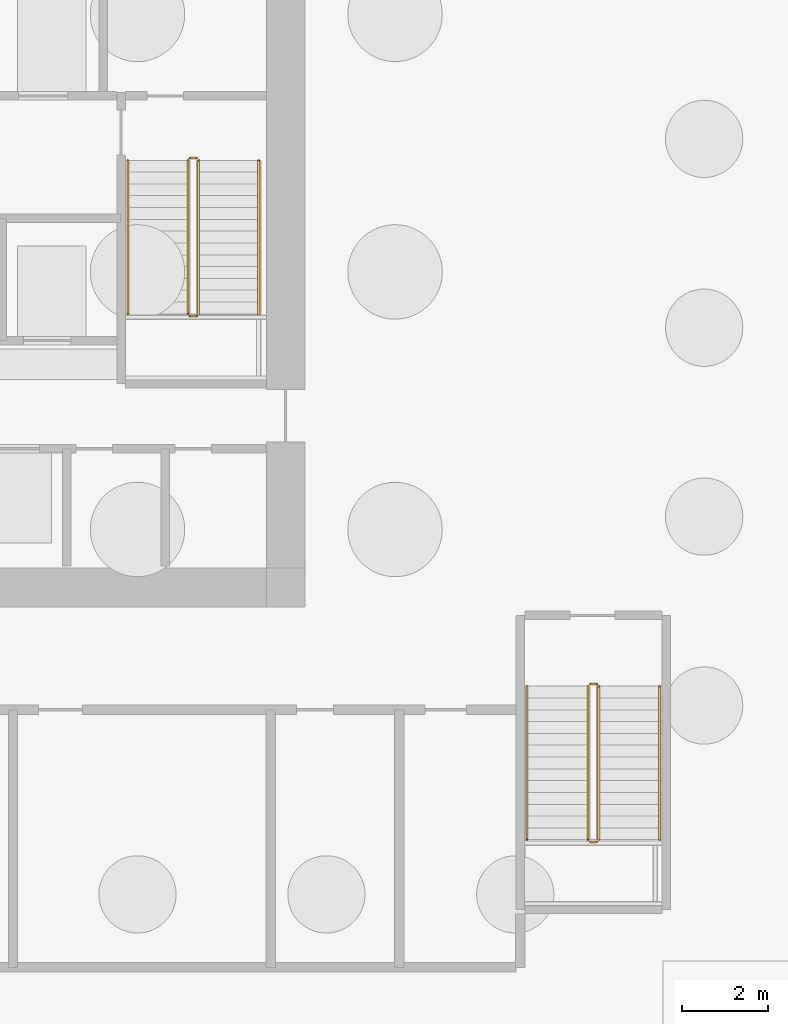
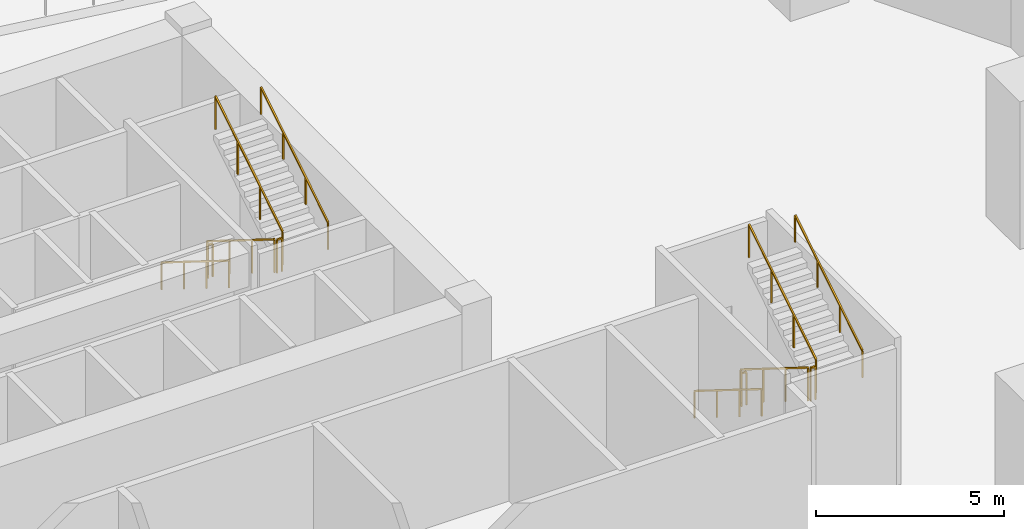
# One storey, part 7 of 9: 12 railings.
"""IFC4 building model written with IfcOpenShell, lengths in metres."""

from ifc_helpers import new_model, si_unit, direction, frame, origin, origin_2d, place, context, subcontext, project, spatial, rectangle, extrude, material, type_object, element, save


model = new_model("IFC4")

# Units and contexts
model_context = context("Model", 3, precision=1e-05, world=origin(), true_north=direction((0.0, 1.0)))
body_context = subcontext(model_context, "Body", "Model", "MODEL_VIEW")
ifc_project = project(units=[si_unit("LENGTHUNIT", "METRE"), si_unit("AREAUNIT", "SQUARE_METRE"), si_unit("VOLUMEUNIT", "CUBIC_METRE"), si_unit("PLANEANGLEUNIT", "RADIAN"), si_unit("MASSUNIT", "GRAM", prefix="KILO")], contexts=[model_context])

# Site, building, storey
site_placement = place(None, origin())
site = spatial("IfcSite", under=ifc_project, at=site_placement, CompositionType="ELEMENT")
building_placement = place(site_placement, origin())
building = spatial("IfcBuilding", under=site, at=building_placement, Name="Cinnabar Lancet Tower", CompositionType="ELEMENT")
storey_placement = place(building_placement, frame((0.0, 0.0, -4.800048828125)))
storey = spatial("IfcBuildingStorey", under=building, at=storey_placement, Name="B1", CompositionType="ELEMENT", Elevation=-4.800048828125)

# Railings
ifc_material_1 = material(Name="Painted galvanized steel balustrade", Category="steel")
railing_type_1 = type_object("IfcRailingType", Name="GUARD-STAIR", PredefinedType="GUARDRAIL", material=ifc_material_1)
railing_1_placement = place(storey_placement, frame((39.574951171875, 28.39990234375, 0.17138671875)))
element("IfcRailing", 1, at=railing_1_placement, inside=storey, type_object=railing_type_1, Name="B1 ST-2 stair guard 1", PredefinedType="GUARDRAIL", context=body_context, shape_type="SweptSolid", body=[
    extrude(rectangle(XDim=0.048095703125, YDim=0.048095703125, at=origin_2d()), frame((0.0, 0.0, 1.076171875), z_axis=(0.0, -0.848593568547, 0.529045324542), x_axis=(1.0, 0.0, 0.0)), (0.0, 0.0, 1.0), 4.212890625),
    extrude(rectangle(XDim=0.0419921875, YDim=0.0419921875, at=origin_2d()), origin(), (0.0, 0.0, 1.0), 1.052001953125),
    extrude(rectangle(XDim=0.0419921875, YDim=0.0419921875, at=origin_2d()), frame((0.0, -1.191650390625, 0.742919921875)), (0.0, 0.0, 1.0), 1.052001953125),
    extrude(rectangle(XDim=0.0419921875, YDim=0.0419921875, at=origin_2d()), frame((0.0, -2.38330078125, 1.48583984375)), (0.0, 0.0, 1.0), 1.052001953125),
    extrude(rectangle(XDim=0.0419921875, YDim=0.0419921875, at=origin_2d()), frame((0.0, -3.574951171875, 2.228759765625)), (0.0, 0.0, 1.0), 1.052001953125),
])
railing_2_placement = place(storey_placement, frame((39.625, 24.77490234375, 2.400146484375)))
element("IfcRailing", 2, at=railing_2_placement, inside=storey, type_object=railing_type_1, Name="B1 ST-2 stair guard 2", PredefinedType="GUARDRAIL", context=body_context, shape_type="SweptSolid", body=[
    extrude(rectangle(XDim=0.048095703125, YDim=0.048095703125, at=origin_2d()), frame((0.0, 0.0, 1.076171875), z_axis=(1.0, 0.0, 0.0), x_axis=(0.0, 1.0, 0.0)), (0.0, 0.0, 1.0), 0.14990234375),
    extrude(rectangle(XDim=0.0419921875, YDim=0.0419921875, at=origin_2d()), origin(), (0.0, 0.0, 1.0), 1.052001953125),
    extrude(rectangle(XDim=0.0419921875, YDim=0.0419921875, at=origin_2d()), frame((0.14990234375, 0.0, 0.0)), (0.0, 0.0, 1.0), 1.052001953125),
])
railing_3_placement = place(storey_placement, frame((39.824951171875, 24.824951171875, 2.571533203125)))
element("IfcRailing", 3, at=railing_3_placement, inside=storey, type_object=railing_type_1, Name="B1 ST-2 stair guard 3", PredefinedType="GUARDRAIL", context=body_context, shape_type="SweptSolid", body=[
    extrude(rectangle(XDim=0.048095703125, YDim=0.048095703125, at=origin_2d()), frame((0.0, 0.0, 1.076171875), z_axis=(0.0, 0.848619585623, 0.529003590628), x_axis=(-1.0, 0.0, 0.0)), (0.0, 0.0, 1.0), 4.212646484375),
    extrude(rectangle(XDim=0.0419921875, YDim=0.0419921875, at=origin_2d()), origin(), (0.0, 0.0, 1.0), 1.052001953125),
    extrude(rectangle(XDim=0.0419921875, YDim=0.0419921875, at=origin_2d()), frame((0.0, 1.191650390625, 0.742919921875)), (0.0, 0.0, 1.0), 1.052001953125),
    extrude(rectangle(XDim=0.0419921875, YDim=0.0419921875, at=origin_2d()), frame((0.0, 2.38330078125, 1.485595703125)), (0.0, 0.0, 1.0), 1.052001953125),
    extrude(rectangle(XDim=0.0419921875, YDim=0.0419921875, at=origin_2d()), frame((0.0, 3.574951171875, 2.228515625)), (0.0, 0.0, 1.0), 1.052001953125),
])
railing_4_placement = place(storey_placement, frame((39.625, 28.449951171875, 0.0)))
element("IfcRailing", 4, at=railing_4_placement, inside=storey, type_object=railing_type_1, Name="B1 ST-2 stair guard 4", PredefinedType="GUARDRAIL", context=body_context, shape_type="SweptSolid", body=[
    extrude(rectangle(XDim=0.048095703125, YDim=0.048095703125, at=origin_2d()), frame((0.0, 0.0, 1.076171875), z_axis=(1.0, 0.0, 0.0), x_axis=(0.0, 1.0, 0.0)), (0.0, 0.0, 1.0), 0.14990234375),
    extrude(rectangle(XDim=0.0419921875, YDim=0.0419921875, at=origin_2d()), origin(), (0.0, 0.0, 1.0), 1.052001953125),
    extrude(rectangle(XDim=0.0419921875, YDim=0.0419921875, at=origin_2d()), frame((0.14990234375, 0.0, 0.0)), (0.0, 0.0, 1.0), 1.052001953125),
])
railing_5_placement = place(storey_placement, frame((48.89501953125, 16.14990234375, 0.17138671875)))
element("IfcRailing", 5, at=railing_5_placement, inside=storey, type_object=railing_type_1, Name="B1 ST-4 stair guard 1", PredefinedType="GUARDRAIL", context=body_context, shape_type="SweptSolid", body=[
    extrude(rectangle(XDim=0.048095703125, YDim=0.048095703125, at=origin_2d()), frame((0.0, 0.0, 1.076171875), z_axis=(0.0, -0.848593568547, 0.529045324542), x_axis=(1.0, 0.0, 0.0)), (0.0, 0.0, 1.0), 4.212890625),
    extrude(rectangle(XDim=0.0419921875, YDim=0.0419921875, at=origin_2d()), origin(), (0.0, 0.0, 1.0), 1.052001953125),
    extrude(rectangle(XDim=0.0419921875, YDim=0.0419921875, at=origin_2d()), frame((0.0, -1.191650390625, 0.742919921875)), (0.0, 0.0, 1.0), 1.052001953125),
    extrude(rectangle(XDim=0.0419921875, YDim=0.0419921875, at=origin_2d()), frame((0.0, -2.38330078125, 1.48583984375)), (0.0, 0.0, 1.0), 1.052001953125),
    extrude(rectangle(XDim=0.0419921875, YDim=0.0419921875, at=origin_2d()), frame((0.0, -3.574951171875, 2.228759765625)), (0.0, 0.0, 1.0), 1.052001953125),
])
railing_6_placement = place(storey_placement, frame((48.945068359375, 12.52490234375, 2.400146484375)))
element("IfcRailing", 6, at=railing_6_placement, inside=storey, type_object=railing_type_1, Name="B1 ST-4 stair guard 2", PredefinedType="GUARDRAIL", context=body_context, shape_type="SweptSolid", body=[
    extrude(rectangle(XDim=0.048095703125, YDim=0.048095703125, at=origin_2d()), frame((0.0, 0.0, 1.076171875), z_axis=(1.0, 0.0, 0.0), x_axis=(0.0, 1.0, 0.0)), (0.0, 0.0, 1.0), 0.14990234375),
    extrude(rectangle(XDim=0.0419921875, YDim=0.0419921875, at=origin_2d()), origin(), (0.0, 0.0, 1.0), 1.052001953125),
    extrude(rectangle(XDim=0.0419921875, YDim=0.0419921875, at=origin_2d()), frame((0.14990234375, 0.0, 0.0)), (0.0, 0.0, 1.0), 1.052001953125),
])
railing_7_placement = place(storey_placement, frame((49.14501953125, 12.574951171875, 2.571533203125)))
element("IfcRailing", 7, at=railing_7_placement, inside=storey, type_object=railing_type_1, Name="B1 ST-4 stair guard 3", PredefinedType="GUARDRAIL", context=body_context, shape_type="SweptSolid", body=[
    extrude(rectangle(XDim=0.048095703125, YDim=0.048095703125, at=origin_2d()), frame((0.0, 0.0, 1.076171875), z_axis=(0.0, 0.848619585623, 0.529003590628), x_axis=(-1.0, 0.0, 0.0)), (0.0, 0.0, 1.0), 4.212646484375),
    extrude(rectangle(XDim=0.0419921875, YDim=0.0419921875, at=origin_2d()), origin(), (0.0, 0.0, 1.0), 1.052001953125),
    extrude(rectangle(XDim=0.0419921875, YDim=0.0419921875, at=origin_2d()), frame((0.0, 1.191650390625, 0.742919921875)), (0.0, 0.0, 1.0), 1.052001953125),
    extrude(rectangle(XDim=0.0419921875, YDim=0.0419921875, at=origin_2d()), frame((0.0, 2.38330078125, 1.485595703125)), (0.0, 0.0, 1.0), 1.052001953125),
    extrude(rectangle(XDim=0.0419921875, YDim=0.0419921875, at=origin_2d()), frame((0.0, 3.574951171875, 2.228515625)), (0.0, 0.0, 1.0), 1.052001953125),
])
railing_8_placement = place(storey_placement, frame((48.945068359375, 16.199951171875, 0.0)))
element("IfcRailing", 8, at=railing_8_placement, inside=storey, type_object=railing_type_1, Name="B1 ST-4 stair guard 4", PredefinedType="GUARDRAIL", context=body_context, shape_type="SweptSolid", body=[
    extrude(rectangle(XDim=0.048095703125, YDim=0.048095703125, at=origin_2d()), frame((0.0, 0.0, 1.076171875), z_axis=(1.0, 0.0, 0.0), x_axis=(0.0, 1.0, 0.0)), (0.0, 0.0, 1.0), 0.14990234375),
    extrude(rectangle(XDim=0.0419921875, YDim=0.0419921875, at=origin_2d()), origin(), (0.0, 0.0, 1.0), 1.052001953125),
    extrude(rectangle(XDim=0.0419921875, YDim=0.0419921875, at=origin_2d()), frame((0.14990234375, 0.0, 0.0)), (0.0, 0.0, 1.0), 1.052001953125),
])
ifc_material_2 = material(Name="Brushed stainless steel handrail", Category="steel")
railing_type_2 = type_object("IfcRailingType", Name="HANDRAIL-STAIR", PredefinedType="HANDRAIL", material=ifc_material_2)
railing_9_placement = place(storey_placement, frame((38.175048828125, 28.39990234375, 0.17138671875)))
element("IfcRailing", 9, at=railing_9_placement, inside=storey, type_object=railing_type_2, Name="B1 ST-2 stair handrail 1", PredefinedType="HANDRAIL", context=body_context, shape_type="SweptSolid", body=[
    extrude(rectangle(XDim=0.048095703125, YDim=0.048095703125, at=origin_2d()), frame((0.0, 0.0, 0.8759765625), z_axis=(0.0, -0.848593568547, 0.529045324542), x_axis=(1.0, 0.0, 0.0)), (0.0, 0.0, 1.0), 4.212890625),
    extrude(rectangle(XDim=0.0419921875, YDim=0.0419921875, at=origin_2d()), origin(), (0.0, 0.0, 1.0), 0.851806640625),
    extrude(rectangle(XDim=0.0419921875, YDim=0.0419921875, at=origin_2d()), frame((0.0, -1.191650390625, 0.742919921875)), (0.0, 0.0, 1.0), 0.851806640625),
    extrude(rectangle(XDim=0.0419921875, YDim=0.0419921875, at=origin_2d()), frame((0.0, -2.38330078125, 1.48583984375)), (0.0, 0.0, 1.0), 0.851806640625),
    extrude(rectangle(XDim=0.0419921875, YDim=0.0419921875, at=origin_2d()), frame((0.0, -3.574951171875, 2.228759765625)), (0.0, 0.0, 1.0), 0.851806640625),
])
railing_10_placement = place(storey_placement, frame((41.22509765625, 24.824951171875, 2.571533203125)))
element("IfcRailing", 10, at=railing_10_placement, inside=storey, type_object=railing_type_2, Name="B1 ST-2 stair handrail 2", PredefinedType="HANDRAIL", context=body_context, shape_type="SweptSolid", body=[
    extrude(rectangle(XDim=0.048095703125, YDim=0.048095703125, at=origin_2d()), frame((0.0, 0.0, 0.8759765625), z_axis=(0.0, 0.848619585623, 0.529003590628), x_axis=(-1.0, 0.0, 0.0)), (0.0, 0.0, 1.0), 4.212646484375),
    extrude(rectangle(XDim=0.0419921875, YDim=0.0419921875, at=origin_2d()), origin(), (0.0, 0.0, 1.0), 0.851806640625),
    extrude(rectangle(XDim=0.0419921875, YDim=0.0419921875, at=origin_2d()), frame((0.0, 1.191650390625, 0.742919921875)), (0.0, 0.0, 1.0), 0.851806640625),
    extrude(rectangle(XDim=0.0419921875, YDim=0.0419921875, at=origin_2d()), frame((0.0, 2.38330078125, 1.485595703125)), (0.0, 0.0, 1.0), 0.851806640625),
    extrude(rectangle(XDim=0.0419921875, YDim=0.0419921875, at=origin_2d()), frame((0.0, 3.574951171875, 2.228515625)), (0.0, 0.0, 1.0), 0.851806640625),
])
railing_11_placement = place(storey_placement, frame((47.47509765625, 16.14990234375, 0.17138671875)))
element("IfcRailing", 11, at=railing_11_placement, inside=storey, type_object=railing_type_2, Name="B1 ST-4 stair handrail 1", PredefinedType="HANDRAIL", context=body_context, shape_type="SweptSolid", body=[
    extrude(rectangle(XDim=0.048095703125, YDim=0.048095703125, at=origin_2d()), frame((0.0, 0.0, 0.8759765625), z_axis=(0.0, -0.848593568547, 0.529045324542), x_axis=(1.0, 0.0, 0.0)), (0.0, 0.0, 1.0), 4.212890625),
    extrude(rectangle(XDim=0.0419921875, YDim=0.0419921875, at=origin_2d()), origin(), (0.0, 0.0, 1.0), 0.851806640625),
    extrude(rectangle(XDim=0.0419921875, YDim=0.0419921875, at=origin_2d()), frame((0.0, -1.191650390625, 0.742919921875)), (0.0, 0.0, 1.0), 0.851806640625),
    extrude(rectangle(XDim=0.0419921875, YDim=0.0419921875, at=origin_2d()), frame((0.0, -2.38330078125, 1.48583984375)), (0.0, 0.0, 1.0), 0.851806640625),
    extrude(rectangle(XDim=0.0419921875, YDim=0.0419921875, at=origin_2d()), frame((0.0, -3.574951171875, 2.228759765625)), (0.0, 0.0, 1.0), 0.851806640625),
])
railing_12_placement = place(storey_placement, frame((50.56494140625, 12.574951171875, 2.571533203125)))
element("IfcRailing", 12, at=railing_12_placement, inside=storey, type_object=railing_type_2, Name="B1 ST-4 stair handrail 2", PredefinedType="HANDRAIL", context=body_context, shape_type="SweptSolid", body=[
    extrude(rectangle(XDim=0.048095703125, YDim=0.048095703125, at=origin_2d()), frame((0.0, 0.0, 0.8759765625), z_axis=(0.0, 0.848619585623, 0.529003590628), x_axis=(-1.0, 0.0, 0.0)), (0.0, 0.0, 1.0), 4.212646484375),
    extrude(rectangle(XDim=0.0419921875, YDim=0.0419921875, at=origin_2d()), origin(), (0.0, 0.0, 1.0), 0.851806640625),
    extrude(rectangle(XDim=0.0419921875, YDim=0.0419921875, at=origin_2d()), frame((0.0, 1.191650390625, 0.742919921875)), (0.0, 0.0, 1.0), 0.851806640625),
    extrude(rectangle(XDim=0.0419921875, YDim=0.0419921875, at=origin_2d()), frame((0.0, 2.38330078125, 1.485595703125)), (0.0, 0.0, 1.0), 0.851806640625),
    extrude(rectangle(XDim=0.0419921875, YDim=0.0419921875, at=origin_2d()), frame((0.0, 3.574951171875, 2.228515625)), (0.0, 0.0, 1.0), 0.851806640625),
])

save(model, "model.ifc")
